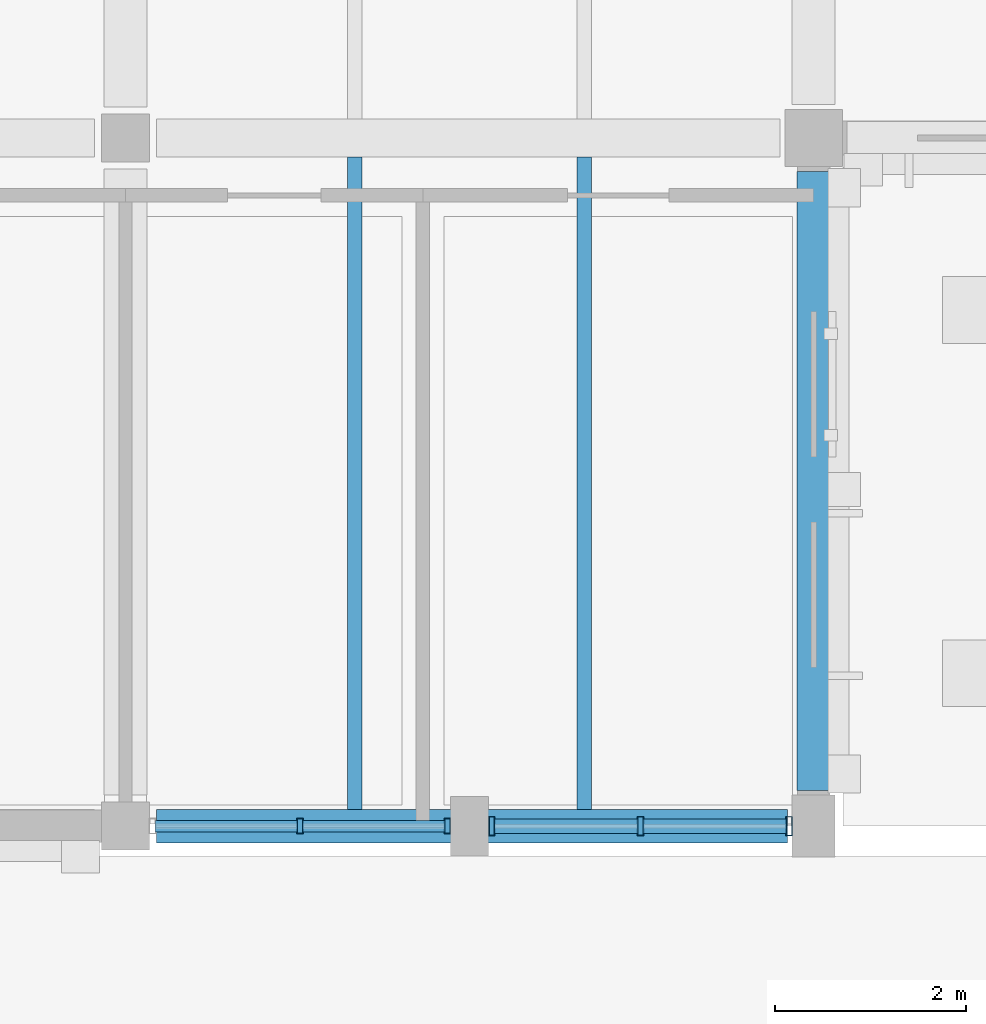
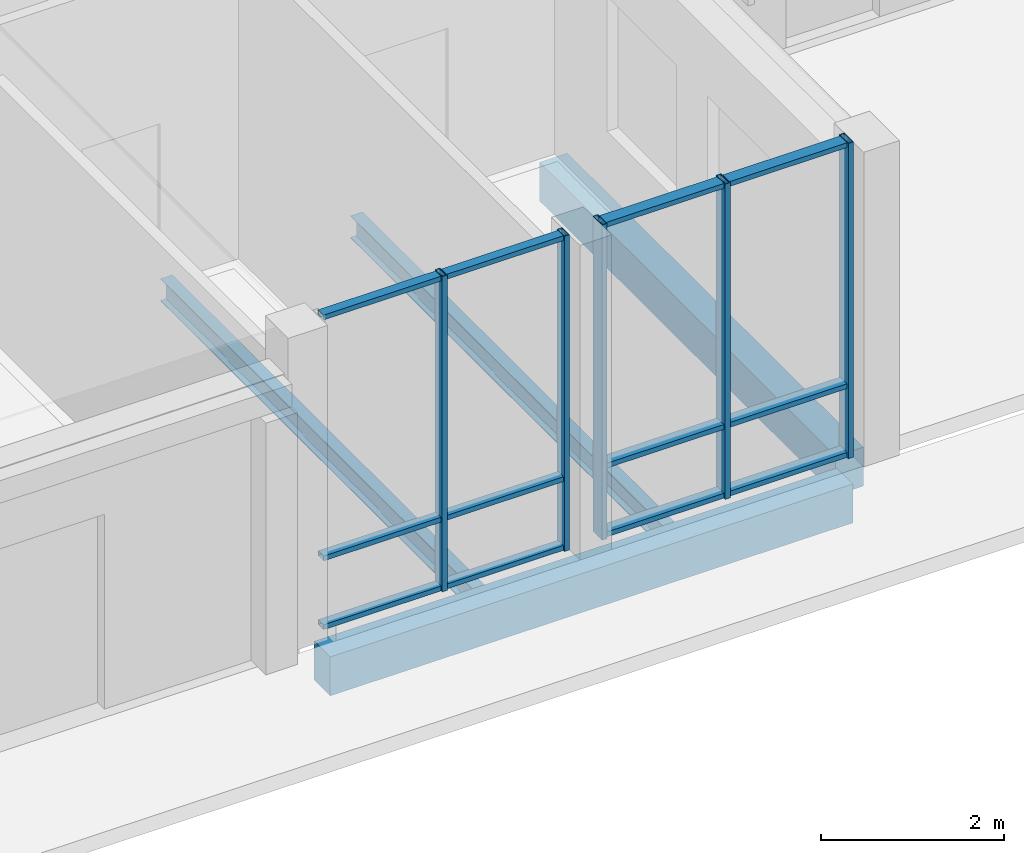
# One storey, part 18 of 104: 17 members, 4 beams, 2 elements without a shape of their own.
"""IFC4 building model written with IfcOpenShell, lengths in metres."""

from ifc_helpers import new_model, si_unit, direction, frame, origin, origin_2d, place, context, subcontext, project, spatial, rectangle, hollow_rectangle, i_section, extrude, material, material_profile, profile_set, type_object, element, aggregate, save


model = new_model("IFC4")

# Units and contexts
model_context = context("Model", 3, precision=1e-05, world=origin(), true_north=direction((0.0, 1.0)))
body_context = subcontext(model_context, "Body", "Model", "MODEL_VIEW")
ifc_project = project(units=[si_unit("LENGTHUNIT", "METRE"), si_unit("AREAUNIT", "SQUARE_METRE"), si_unit("VOLUMEUNIT", "CUBIC_METRE"), si_unit("PLANEANGLEUNIT", "RADIAN"), si_unit("MASSUNIT", "GRAM", prefix="KILO")], contexts=[model_context])

# Site, building, storey
site_placement = place(None, origin())
site = spatial("IfcSite", under=ifc_project, at=site_placement, CompositionType="ELEMENT")
building_placement = place(site_placement, origin())
building = spatial("IfcBuilding", under=site, at=building_placement, Name="Hawrajan Terrace Health Centre", CompositionType="ELEMENT")
storey_placement = place(building_placement, origin())
storey = spatial("IfcBuildingStorey", under=building, at=storey_placement, Name="L00", CompositionType="ELEMENT", Elevation=0.0)

# Curtain wall, members
ifc_material_1 = material(Name="Anodized bronze aluminium and low-E solar glazing", Category="aluminium")
curtain_wall_type_1 = type_object("IfcCurtainWallType", Name="CW_CourtNS_SeriesC3", PredefinedType="USERDEFINED", material=ifc_material_1)
curtain_wall_1_placement = place(storey_placement, origin())
curtain_wall_1 = element("IfcCurtainWall", 1, at=curtain_wall_1_placement, inside=storey, type_object=curtain_wall_type_1, Name="Curtain wall CW-L00-009", ObjectType="UNITISED CURTAIN WALL", PredefinedType="USERDEFINED")
ifc_material_2 = material(Name="Anodized bronze aluminium 6063-T6", Category="aluminium")
ifc_material_profile_1 = material_profile(ifc_material_2, hollow_rectangle(XDim=0.06494140625, YDim=0.159912109375, WallThickness=0.00390625, at=origin_2d()), Name="CW MUL 65x160")
ifc_profile_set_1 = profile_set([ifc_material_profile_1], Name="Anodized bronze aluminium 6063-T6")
member_type_1 = type_object("IfcMemberType", Name="CWMullion_65x160", PredefinedType="MULLION", material=ifc_profile_set_1)
member_1_placement = place(storey_placement, frame((35.22509765625, 4.199951171875, -0.0048828125), z_axis=(0.0, 0.0, 1.0), x_axis=(1.0, 0.0, 0.0)))
member_1 = element("IfcMember", 2, at=member_1_placement, type_object=member_type_1, Name="Mullion CW-L00-009-M2", PredefinedType="MULLION", context=body_context, shape_type="SweptSolid", body=[
    extrude(hollow_rectangle(XDim=0.06494140625, YDim=0.159912109375, WallThickness=0.00390625, at=origin_2d()), origin(), (0.0, 0.0, 1.0), 4.2099609375),
])
member_2_placement = place(storey_placement, frame((36.767578125, 4.199951171875, -0.0048828125), z_axis=(0.0, 0.0, 1.0), x_axis=(1.0, 0.0, 0.0)))
member_2 = element("IfcMember", 3, at=member_2_placement, type_object=member_type_1, Name="Mullion CW-L00-009-M3", PredefinedType="MULLION", context=body_context, shape_type="SweptSolid", body=[
    extrude(hollow_rectangle(XDim=0.06494140625, YDim=0.159912109375, WallThickness=0.00390625, at=origin_2d()), origin(), (0.0, 0.0, 1.0), 4.2099609375),
])

curtain_wall_type_2 = type_object("IfcCurtainWallType", Name="CW_Hall_SeriesD1", PredefinedType="USERDEFINED", material=ifc_material_1)
curtain_wall_2_placement = place(storey_placement, origin())
curtain_wall_2 = element("IfcCurtainWall", 4, at=curtain_wall_2_placement, inside=storey, type_object=curtain_wall_type_2, Name="Curtain wall CW-L00-010", ObjectType="UNITISED CURTAIN WALL", PredefinedType="USERDEFINED")
ifc_material_profile_2 = material_profile(ifc_material_2, hollow_rectangle(XDim=0.06494140625, YDim=0.199951171875, WallThickness=0.00439453125, at=origin_2d()), Name="CW MUL 65x200")
ifc_profile_set_2 = profile_set([ifc_material_profile_2], Name="Anodized bronze aluminium 6063-T6")
member_type_2 = type_object("IfcMemberType", Name="CWMullion_65x200", PredefinedType="MULLION", material=ifc_profile_set_2)
member_3_placement = place(storey_placement, frame((37.232421875, 4.199951171875, -0.0048828125), z_axis=(0.0, 0.0, 1.0), x_axis=(1.0, 0.0, 0.0)))
member_3 = element("IfcMember", 5, at=member_3_placement, type_object=member_type_2, Name="Mullion CW-L00-010-M1", PredefinedType="MULLION", context=body_context, shape_type="SweptSolid", body=[
    extrude(hollow_rectangle(XDim=0.06494140625, YDim=0.199951171875, WallThickness=0.00439453125, at=origin_2d()), origin(), (0.0, 0.0, 1.0), 4.2099609375),
])
member_4_placement = place(storey_placement, frame((38.78759765625, 4.199951171875, -0.0048828125), z_axis=(0.0, 0.0, 1.0), x_axis=(1.0, 0.0, 0.0)))
member_4 = element("IfcMember", 6, at=member_4_placement, type_object=member_type_2, Name="Mullion CW-L00-010-M2", PredefinedType="MULLION", context=body_context, shape_type="SweptSolid", body=[
    extrude(hollow_rectangle(XDim=0.06494140625, YDim=0.199951171875, WallThickness=0.00439453125, at=origin_2d()), origin(), (0.0, 0.0, 1.0), 4.2099609375),
])
member_5_placement = place(storey_placement, frame((40.342529296875, 4.199951171875, -0.0048828125), z_axis=(0.0, 0.0, 1.0), x_axis=(1.0, 0.0, 0.0)))
member_5 = element("IfcMember", 7, at=member_5_placement, type_object=member_type_2, Name="Mullion CW-L00-010-M3", PredefinedType="MULLION", context=body_context, shape_type="SweptSolid", body=[
    extrude(hollow_rectangle(XDim=0.06494140625, YDim=0.199951171875, WallThickness=0.00439453125, at=origin_2d()), origin(), (0.0, 0.0, 1.0), 4.2099609375),
])

# Member
ifc_material_profile_3 = material_profile(ifc_material_2, hollow_rectangle(XDim=0.06494140625, YDim=0.1201171875, WallThickness=0.00341796875, at=origin_2d()), Name="CW TRN 65x120")
ifc_profile_set_3 = profile_set([ifc_material_profile_3], Name="Anodized bronze aluminium 6063-T6")
member_type_3 = type_object("IfcMemberType", Name="CWTransom_65x120", PredefinedType="USERDEFINED", material=ifc_profile_set_3)
member_6_placement = place(storey_placement, frame((33.708984375, 4.199951171875, 0.032470703125), z_axis=(1.0, 0.0, 0.0), x_axis=(0.0, 0.0, 1.0)))
member_6 = element("IfcMember", 8, at=member_6_placement, type_object=member_type_3, Name="Transom CW-L00-009-T1-1", ObjectType="TRANSOM", PredefinedType="USERDEFINED", context=body_context, shape_type="SweptSolid", body=[
    extrude(hollow_rectangle(XDim=0.06494140625, YDim=0.1201171875, WallThickness=0.00341796875, at=origin_2d()), origin(), (0.0, 0.0, 1.0), 1.489501953125),
])

member_7_placement = place(storey_placement, frame((33.708984375, 4.199951171875, 0.949951171875), z_axis=(1.0, 0.0, 0.0), x_axis=(0.0, 0.0, 1.0)))
member_7 = element("IfcMember", 9, at=member_7_placement, type_object=member_type_3, Name="Transom CW-L00-009-T1-2", ObjectType="TRANSOM", PredefinedType="USERDEFINED", context=body_context, shape_type="SweptSolid", body=[
    extrude(hollow_rectangle(XDim=0.06494140625, YDim=0.1201171875, WallThickness=0.00341796875, at=origin_2d()), origin(), (0.0, 0.0, 1.0), 1.489501953125),
])

member_8_placement = place(storey_placement, frame((33.708984375, 4.199951171875, 4.16748046875), z_axis=(1.0, 0.0, 0.0), x_axis=(0.0, 0.0, 1.0)))
member_8 = element("IfcMember", 10, at=member_8_placement, type_object=member_type_3, Name="Transom CW-L00-009-T1-3", ObjectType="TRANSOM", PredefinedType="USERDEFINED", context=body_context, shape_type="SweptSolid", body=[
    extrude(hollow_rectangle(XDim=0.06494140625, YDim=0.1201171875, WallThickness=0.00341796875, at=origin_2d()), origin(), (0.0, 0.0, 1.0), 1.489501953125),
])

member_9_placement = place(storey_placement, frame((35.25146484375, 4.199951171875, 0.032470703125), z_axis=(1.0, 0.0, 0.0), x_axis=(0.0, 0.0, 1.0)))
member_9 = element("IfcMember", 11, at=member_9_placement, type_object=member_type_3, Name="Transom CW-L00-009-T2-1", ObjectType="TRANSOM", PredefinedType="USERDEFINED", context=body_context, shape_type="SweptSolid", body=[
    extrude(hollow_rectangle(XDim=0.06494140625, YDim=0.1201171875, WallThickness=0.00341796875, at=origin_2d()), origin(), (0.0, 0.0, 1.0), 1.489501953125),
])

member_10_placement = place(storey_placement, frame((35.25146484375, 4.199951171875, 0.949951171875), z_axis=(1.0, 0.0, 0.0), x_axis=(0.0, 0.0, 1.0)))
member_10 = element("IfcMember", 12, at=member_10_placement, type_object=member_type_3, Name="Transom CW-L00-009-T2-2", ObjectType="TRANSOM", PredefinedType="USERDEFINED", context=body_context, shape_type="SweptSolid", body=[
    extrude(hollow_rectangle(XDim=0.06494140625, YDim=0.1201171875, WallThickness=0.00341796875, at=origin_2d()), origin(), (0.0, 0.0, 1.0), 1.489501953125),
])

member_11_placement = place(storey_placement, frame((35.25146484375, 4.199951171875, 4.16748046875), z_axis=(1.0, 0.0, 0.0), x_axis=(0.0, 0.0, 1.0)))
member_11 = element("IfcMember", 13, at=member_11_placement, type_object=member_type_3, Name="Transom CW-L00-009-T2-3", ObjectType="TRANSOM", PredefinedType="USERDEFINED", context=body_context, shape_type="SweptSolid", body=[
    extrude(hollow_rectangle(XDim=0.06494140625, YDim=0.1201171875, WallThickness=0.00341796875, at=origin_2d()), origin(), (0.0, 0.0, 1.0), 1.489501953125),
])

aggregate(curtain_wall_1, [member_1, member_2, member_6, member_7, member_8, member_9, member_10, member_11])

ifc_material_profile_4 = material_profile(ifc_material_2, hollow_rectangle(XDim=0.06494140625, YDim=0.14990234375, WallThickness=0.00390625, at=origin_2d()), Name="CW TRN 65x150")
ifc_profile_set_4 = profile_set([ifc_material_profile_4], Name="Anodized bronze aluminium 6063-T6")
member_type_4 = type_object("IfcMemberType", Name="CWTransom_65x150", PredefinedType="USERDEFINED", material=ifc_profile_set_4)
member_12_placement = place(storey_placement, frame((37.259033203125, 4.199951171875, 0.032470703125), z_axis=(1.0, 0.0, 0.0), x_axis=(0.0, 0.0, 1.0)))
member_12 = element("IfcMember", 14, at=member_12_placement, type_object=member_type_4, Name="Transom CW-L00-010-T1-1", ObjectType="TRANSOM", PredefinedType="USERDEFINED", context=body_context, shape_type="SweptSolid", body=[
    extrude(hollow_rectangle(XDim=0.06494140625, YDim=0.14990234375, WallThickness=0.00390625, at=origin_2d()), origin(), (0.0, 0.0, 1.0), 1.501953125),
])

member_13_placement = place(storey_placement, frame((37.259033203125, 4.199951171875, 0.949951171875), z_axis=(1.0, 0.0, 0.0), x_axis=(0.0, 0.0, 1.0)))
member_13 = element("IfcMember", 15, at=member_13_placement, type_object=member_type_4, Name="Transom CW-L00-010-T1-2", ObjectType="TRANSOM", PredefinedType="USERDEFINED", context=body_context, shape_type="SweptSolid", body=[
    extrude(hollow_rectangle(XDim=0.06494140625, YDim=0.14990234375, WallThickness=0.00390625, at=origin_2d()), origin(), (0.0, 0.0, 1.0), 1.501953125),
])

member_14_placement = place(storey_placement, frame((37.259033203125, 4.199951171875, 4.16748046875), z_axis=(1.0, 0.0, 0.0), x_axis=(0.0, 0.0, 1.0)))
member_14 = element("IfcMember", 16, at=member_14_placement, type_object=member_type_4, Name="Transom CW-L00-010-T1-3", ObjectType="TRANSOM", PredefinedType="USERDEFINED", context=body_context, shape_type="SweptSolid", body=[
    extrude(hollow_rectangle(XDim=0.06494140625, YDim=0.14990234375, WallThickness=0.00390625, at=origin_2d()), origin(), (0.0, 0.0, 1.0), 1.501953125),
])

member_15_placement = place(storey_placement, frame((38.81396484375, 4.199951171875, 0.032470703125), z_axis=(1.0, 0.0, 0.0), x_axis=(0.0, 0.0, 1.0)))
member_15 = element("IfcMember", 17, at=member_15_placement, type_object=member_type_4, Name="Transom CW-L00-010-T2-1", ObjectType="TRANSOM", PredefinedType="USERDEFINED", context=body_context, shape_type="SweptSolid", body=[
    extrude(hollow_rectangle(XDim=0.06494140625, YDim=0.14990234375, WallThickness=0.00390625, at=origin_2d()), origin(), (0.0, 0.0, 1.0), 1.501953125),
])

member_16_placement = place(storey_placement, frame((38.81396484375, 4.199951171875, 0.949951171875), z_axis=(1.0, 0.0, 0.0), x_axis=(0.0, 0.0, 1.0)))
member_16 = element("IfcMember", 18, at=member_16_placement, type_object=member_type_4, Name="Transom CW-L00-010-T2-2", ObjectType="TRANSOM", PredefinedType="USERDEFINED", context=body_context, shape_type="SweptSolid", body=[
    extrude(hollow_rectangle(XDim=0.06494140625, YDim=0.14990234375, WallThickness=0.00390625, at=origin_2d()), origin(), (0.0, 0.0, 1.0), 1.501953125),
])

member_17_placement = place(storey_placement, frame((38.81396484375, 4.199951171875, 4.16748046875), z_axis=(1.0, 0.0, 0.0), x_axis=(0.0, 0.0, 1.0)))
member_17 = element("IfcMember", 19, at=member_17_placement, type_object=member_type_4, Name="Transom CW-L00-010-T2-3", ObjectType="TRANSOM", PredefinedType="USERDEFINED", context=body_context, shape_type="SweptSolid", body=[
    extrude(hollow_rectangle(XDim=0.06494140625, YDim=0.14990234375, WallThickness=0.00390625, at=origin_2d()), origin(), (0.0, 0.0, 1.0), 1.501953125),
])

aggregate(curtain_wall_2, [member_3, member_4, member_5, member_12, member_13, member_14, member_15, member_16, member_17])

# Beams
ifc_material_3 = material(Name="Concrete C40/50", Category="concrete")
ifc_material_profile_5 = material_profile(ifc_material_3, rectangle(XDim=0.35009765625, YDim=0.52001953125, at=origin_2d()), Name="RC SP 350x520")
ifc_profile_set_5 = profile_set([ifc_material_profile_5], Name="Concrete C40/50")
beam_type_1 = type_object("IfcBeamType", Name="RCSpandrel_350x520", PredefinedType="SPANDREL", material=ifc_profile_set_5)
beam_1_placement = place(storey_placement, frame((33.72509765625, 4.199951171875, -0.56005859375), z_axis=(1.0, 0.0, 0.0), x_axis=(0.0, 1.0, 0.0)))
element("IfcBeam", 20, at=beam_1_placement, inside=storey, type_object=beam_type_1, Name="Beam BM-X-L00-W-05-Y1", PredefinedType="SPANDREL", context=body_context, shape_type="SweptSolid", body=[
    extrude(rectangle(XDim=0.35009765625, YDim=0.52001953125, at=origin_2d()), origin(), (0.0, 0.0, 1.0), 6.599853515625),
])
beam_2_placement = place(storey_placement, frame((40.60009765625, 4.574951171875, -0.56005859375), z_axis=(0.0, 1.0, 0.0), x_axis=(-1.0, 0.0, 0.0)))
element("IfcBeam", 21, at=beam_2_placement, inside=storey, type_object=beam_type_1, Name="Beam BM-Y-L00-W-X06-1", PredefinedType="SPANDREL", context=body_context, shape_type="SweptSolid", body=[
    extrude(rectangle(XDim=0.35009765625, YDim=0.52001953125, at=origin_2d()), origin(), (0.0, 0.0, 1.0), 6.47509765625),
])
ifc_material_4 = material(Name="Steel S355", Category="steel")
ifc_material_profile_6 = material_profile(ifc_material_4, i_section(OverallWidth=0.14990234375, OverallDepth=0.300048828125, WebThickness=0.007080078125, FlangeThickness=0.0107421875, FilletRadius=0.014892578125, at=origin_2d()), Name="IPE 300")
ifc_profile_set_6 = profile_set([ifc_material_profile_6], Name="Steel S355")
beam_type_2 = type_object("IfcBeamType", Name="SteelBeam_IPE300", PredefinedType="JOIST", material=ifc_profile_set_6)
for number, where, z_axis, x_axis, name in (
    (22, (35.800048828125, 4.375, -0.449951171875), (0.0, 1.0, 0.0), (-1.0, 0.0, 0.0), "Secondary joist JST-L00-W-05-1-1"),
    (23, (38.199951171875, 4.375, -0.449951171875), (0.0, 1.0, 0.0), (-1.0, 0.0, 0.0), "Secondary joist JST-L00-W-05-1-2"),
):
    element("IfcBeam", number, at=place(storey_placement, frame(where, z_axis=z_axis, x_axis=x_axis)), inside=storey, type_object=beam_type_2, Name=name, PredefinedType="JOIST", context=body_context, shape_type="SweptSolid", body=[
        extrude(i_section(OverallWidth=0.14990234375, OverallDepth=0.300048828125, WebThickness=0.007080078125, FlangeThickness=0.0107421875, FilletRadius=0.014892578125, at=origin_2d()), origin(), (0.0, 0.0, 1.0), 6.824951171875),
    ])

save(model, "model.ifc")
